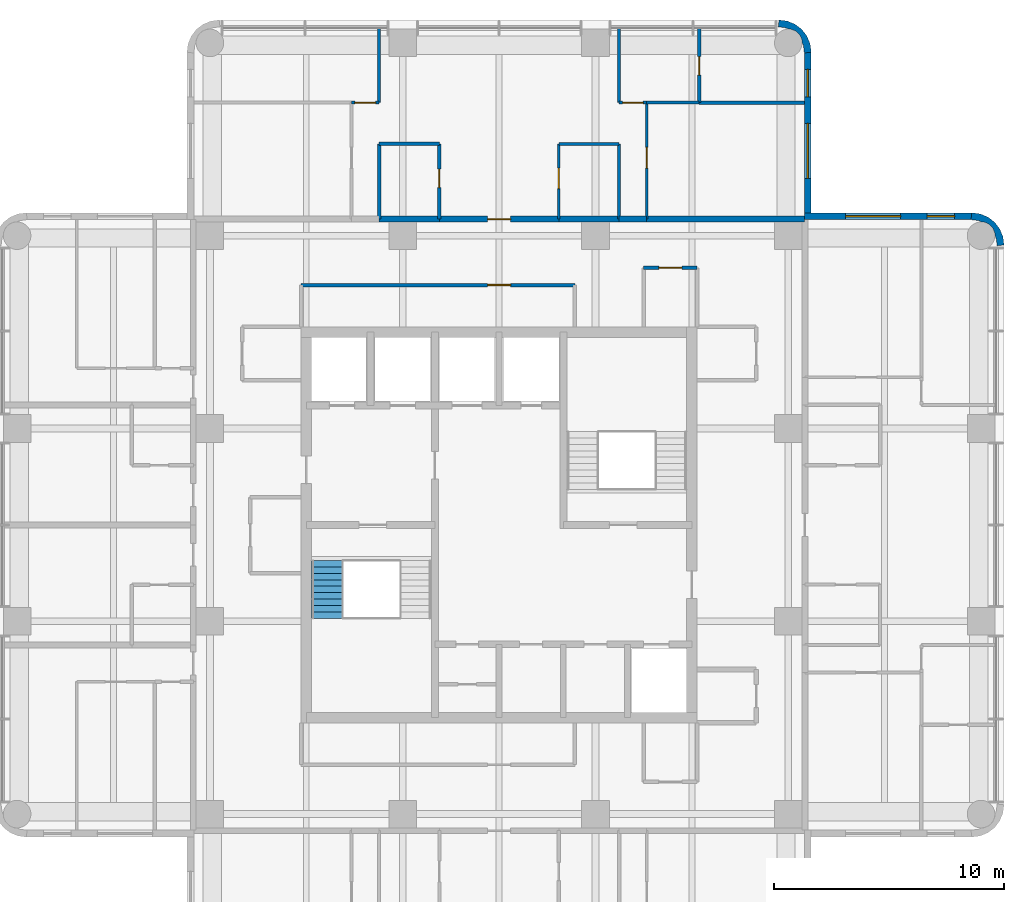
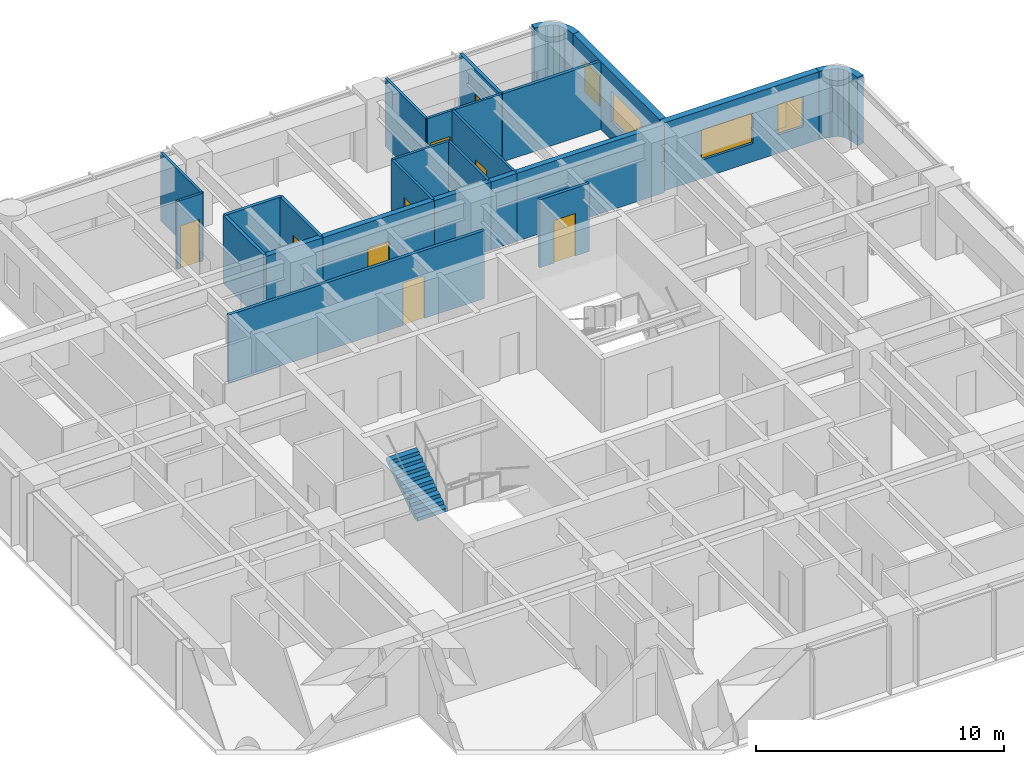
# One storey, part 8 of 10: 25 walls, 9 doors, 4 windows, 1 stair flight, 13 openings, 1 element without a shape of its own.
"""IFC4 building model written with IfcOpenShell, lengths in metres."""

from ifc_helpers import new_model, si_unit, direction, frame, frame_2d, origin, place, context, subcontext, project, spatial, polyline, rectangle, outline, extrude, material, layer, layer_set, type_object, element, fill, aggregate, save


model = new_model("IFC4")

# Units and contexts
model_context = context("Model", 3, precision=1e-05, world=origin(), true_north=direction((0.0, 1.0)))
body_context = subcontext(model_context, "Body", "Model", "MODEL_VIEW")
ifc_project = project(units=[si_unit("LENGTHUNIT", "METRE"), si_unit("AREAUNIT", "SQUARE_METRE"), si_unit("VOLUMEUNIT", "CUBIC_METRE"), si_unit("PLANEANGLEUNIT", "RADIAN"), si_unit("MASSUNIT", "GRAM", prefix="KILO")], contexts=[model_context])

# Site, building, storey
site_placement = place(None, origin())
site = spatial("IfcSite", under=ifc_project, at=site_placement, CompositionType="ELEMENT")
building_placement = place(site_placement, origin())
building = spatial("IfcBuilding", under=site, at=building_placement, Name="Torre Alcanfor", CompositionType="ELEMENT")
storey_placement = place(building_placement, frame((0.0, 0.0, 297.300048828125)))
storey = spatial("IfcBuildingStorey", under=building, at=storey_placement, Name="L78", CompositionType="ELEMENT", Elevation=297.300048828125)

# Wall, opening, door
ifc_material_1 = material(Name="Concrete block masonry, hollow blocks NMX-C-404 9 MPa", Category="masonry")
ifc_layer_1 = layer(ifc_material_1, 0.25)
ifc_layer_set_1 = layer_set([ifc_layer_1], Name="Apartment entrance wall 250 EI 60")
wall_type_1 = type_object("IfcWallType", Name="Apartment entrance wall 250 EI 60", PredefinedType="PARTITIONING", material=ifc_layer_set_1)
wall_1_placement = place(storey_placement, frame((26.800048828125, 42.72509765625, 0.0), z_axis=(0.0, 0.0, 1.0), x_axis=(1.0, 0.0, 0.0)))
wall_1 = element("IfcWall", 1, at=wall_1_placement, inside=storey, type_object=wall_type_1, Name="Partition L78-CORR / L78-NX-ZAG", PredefinedType="PARTITIONING", context=body_context, shape_type="SweptSolid", body=[
    extrude(rectangle(XDim=5.199951171875, YDim=0.25, at=frame_2d((2.60009765625, 0.0))), origin(), (0.0, 0.0, 1.0), 3.349853515625),
])
opening_1_placement = place(wall_1_placement, frame((2.10009765625, 0.0, 0.0)))
opening_1 = element("IfcOpeningElement", 2, at=opening_1_placement, cuts=wall_1, Name="Opening D-A1", PredefinedType="OPENING", context=body_context, shape_type="SweptSolid", body=[
    extrude(rectangle(XDim=1.0, YDim=2.10009765625, at=frame_2d((0.5, 1.050048828125))), frame((0.0, 0.135009765625, 0.0), z_axis=(0.0, -1.0, 0.0), x_axis=(1.0, 0.0, 0.0)), (0.0, 0.0, 1.0), 0.27001953125),
])
ifc_material_2 = material(Name="Galvanised steel sheet ASTM A653", Category="steel")
door_type_1 = type_object("IfcDoorType", Name="Apartment entrance door FD60 1000x2100", OperationType="SINGLE_SWING_LEFT", PredefinedType="DOOR", material=ifc_material_2)
door_1_placement = place(opening_1_placement, origin())
door_1 = element("IfcDoor", 3, at=door_1_placement, inside=storey, type_object=door_type_1, Name="Apartment entrance L78-NX", OperationType="SINGLE_SWING_LEFT", OverallHeight=2.10009765625, OverallWidth=1.0, PredefinedType="DOOR", context=body_context, shape_type="SweptSolid", body=[
    extrude(rectangle(XDim=1.0, YDim=2.10009765625, at=frame_2d((0.5, 1.050048828125))), frame((0.0, 0.02490234375, 0.0), z_axis=(0.0, -1.0, 0.0), x_axis=(1.0, 0.0, 0.0)), (0.0, 0.0, 1.0), 0.050048828125),
])
fill(opening_1, door_1)

# Walls
wall_2_placement = place(storey_placement, frame((24.1708984375, 42.72509765625, 0.0), z_axis=(0.0, 0.0, 1.0), x_axis=(1.0, 0.0, 0.0)))
element("IfcWall", 4, at=wall_2_placement, inside=storey, type_object=wall_type_1, Name="Partition L78-CORR / L78-NX-BATH2", PredefinedType="PARTITIONING", context=body_context, shape_type="SweptSolid", body=[
    extrude(rectangle(XDim=2.629150390625, YDim=0.25, at=frame_2d((1.314453125, 0.0))), origin(), (0.0, 0.0, 1.0), 3.349853515625),
])
wall_3_placement = place(storey_placement, frame((32.0, 42.72509765625, 0.0), z_axis=(0.0, 0.0, 1.0), x_axis=(1.0, 0.0, 0.0)))
element("IfcWall", 5, at=wall_3_placement, inside=storey, type_object=wall_type_1, Name="Partition L78-CORR / L78-NX-KITCHEN", PredefinedType="PARTITIONING", context=body_context, shape_type="SweptSolid", body=[
    extrude(rectangle(XDim=2.62890625, YDim=0.25, at=frame_2d((1.314453125, 0.0))), origin(), (0.0, 0.0, 1.0), 3.349853515625),
])
wall_4_placement = place(storey_placement, frame((34.62890625, 42.72509765625, 0.0), z_axis=(0.0, 0.0, 1.0), x_axis=(1.0, 0.0, 0.0)))
element("IfcWall", 6, at=wall_4_placement, inside=storey, type_object=wall_type_1, Name="Partition L78-CORR / L78-NX-LIVING", PredefinedType="PARTITIONING", context=body_context, shape_type="SweptSolid", body=[
    extrude(rectangle(XDim=1.2001953125, YDim=0.25, at=frame_2d((0.60009765625, 0.0))), origin(), (0.0, 0.0, 1.0), 3.349853515625),
])
wall_5_placement = place(storey_placement, frame((35.8291015625, 42.72509765625, 0.0), z_axis=(0.0, 0.0, 1.0), x_axis=(1.0, 0.0, 0.0)))
element("IfcWall", 7, at=wall_5_placement, inside=storey, type_object=wall_type_1, Name="Partition L78-CORR / L78-NX-BED3", PredefinedType="PARTITIONING", context=body_context, shape_type="SweptSolid", body=[
    extrude(rectangle(XDim=6.870849609375, YDim=0.25, at=frame_2d((3.435546875, 0.0))), origin(), (0.0, 0.0, 1.0), 3.349853515625),
])

# Wall, opening, door
ifc_material_3 = material(Name="Gypsum board on steel studs", Category="steel")
ifc_layer_2 = layer(ifc_material_3, 0.1201171875)
ifc_layer_set_2 = layer_set([ifc_layer_2], Name="Apartment partition 120")
wall_type_2 = type_object("IfcWallType", Name="Apartment partition 120", PredefinedType="PARTITIONING", material=ifc_layer_set_2)
wall_6_placement = place(storey_placement, frame((32.0, 42.72509765625, 0.0), z_axis=(0.0, 0.0, 1.0), x_axis=(0.0, 1.0, 0.0)))
wall_6 = element("IfcWall", 8, at=wall_6_placement, inside=storey, type_object=wall_type_2, Name="Partition L78-NX-ZAG / L78-NX-KITCHEN", PredefinedType="PARTITIONING", context=body_context, shape_type="SweptSolid", body=[
    extrude(rectangle(XDim=3.27490234375, YDim=0.1201171875, at=frame_2d((1.637451171875, 0.0))), origin(), (0.0, 0.0, 1.0), 3.349853515625),
])
opening_2_placement = place(wall_6_placement, frame((1.324951171875, 0.0, 0.0)))
opening_2 = element("IfcOpeningElement", 9, at=opening_2_placement, cuts=wall_6, Name="Opening D-R1", PredefinedType="OPENING", context=body_context, shape_type="SweptSolid", body=[
    extrude(rectangle(XDim=0.89990234375, YDim=2.10009765625, at=frame_2d((0.449951171875, 1.050048828125))), frame((0.0, 0.070068359375, 0.0), z_axis=(0.0, -1.0, 0.0), x_axis=(1.0, 0.0, 0.0)), (0.0, 0.0, 1.0), 0.14013671875),
])
ifc_material_4 = material(Name="Timber", Category="wood")
door_type_2 = type_object("IfcDoorType", Name="Internal door 900x2100", OperationType="SINGLE_SWING_LEFT", PredefinedType="DOOR", material=ifc_material_4)
door_2_placement = place(opening_2_placement, frame((0.89990234375, 0.0, 0.0), z_axis=(0.0, 0.0, 1.0), x_axis=(-1.0, 0.0, 0.0)))
door_2 = element("IfcDoor", 10, at=door_2_placement, inside=storey, type_object=door_type_2, Name="Door L78-NX kitchen", OperationType="SINGLE_SWING_LEFT", OverallHeight=2.10009765625, OverallWidth=0.89990234375, PredefinedType="DOOR", context=body_context, shape_type="SweptSolid", body=[
    extrude(rectangle(XDim=0.89990234375, YDim=2.10009765625, at=frame_2d((0.449951171875, 1.050048828125))), frame((0.0, 0.025146484375, 0.0), z_axis=(0.0, -1.0, 0.0), x_axis=(1.0, 0.0, 0.0)), (0.0, 0.0, 1.0), 0.050048828125),
])
fill(opening_2, door_2)

# Walls
wall_7_placement = place(storey_placement, frame((34.62890625, 42.72509765625, 0.0), z_axis=(0.0, 0.0, 1.0), x_axis=(0.0, 1.0, 0.0)))
element("IfcWall", 11, at=wall_7_placement, inside=storey, type_object=wall_type_2, Name="Partition L78-NX-KITCHEN / L78-NX-LIVING", PredefinedType="PARTITIONING", context=body_context, shape_type="SweptSolid", body=[
    extrude(rectangle(XDim=3.27490234375, YDim=0.1201171875, at=frame_2d((1.637451171875, 0.0))), origin(), (0.0, 0.0, 1.0), 3.349853515625),
])
wall_8_placement = place(storey_placement, frame((34.62890625, 46.0, 0.0), z_axis=(0.0, 0.0, 1.0), x_axis=(-1.0, 0.0, 0.0)))
element("IfcWall", 12, at=wall_8_placement, inside=storey, type_object=wall_type_2, Name="Partition L78-NX-KITCHEN / L78-NX-LIVING", PredefinedType="PARTITIONING", context=body_context, shape_type="SweptSolid", body=[
    extrude(rectangle(XDim=2.62890625, YDim=0.1201171875, at=frame_2d((1.314453125, 0.0))), origin(), (0.0, 0.0, 1.0), 3.349853515625),
])

# Wall, opening, door
wall_9_placement = place(storey_placement, frame((22.970947265625, 47.800048828125, 0.0), z_axis=(0.0, 0.0, 1.0), x_axis=(1.0, 0.0, 0.0)))
wall_9 = element("IfcWall", 13, at=wall_9_placement, inside=storey, type_object=wall_type_2, Name="Partition L78-NX-LIVING / L78-NX-MASTER", PredefinedType="PARTITIONING", context=body_context, shape_type="SweptSolid", body=[
    extrude(rectangle(XDim=1.199951171875, YDim=0.1201171875, at=frame_2d((0.60009765625, 0.0))), origin(), (0.0, 0.0, 1.0), 3.349853515625),
])
opening_3_placement = place(wall_9_placement, frame((0.14892578125, 0.0, 0.0)))
opening_3 = element("IfcOpeningElement", 14, at=opening_3_placement, cuts=wall_9, Name="Opening D-R1", PredefinedType="OPENING", context=body_context, shape_type="SweptSolid", body=[
    extrude(rectangle(XDim=0.89990234375, YDim=2.10009765625, at=frame_2d((0.449951171875, 1.050048828125))), frame((0.0, 0.070068359375, 0.0), z_axis=(0.0, -1.0, 0.0), x_axis=(1.0, 0.0, 0.0)), (0.0, 0.0, 1.0), 0.14013671875),
])
door_3_placement = place(opening_3_placement, origin())
door_3 = element("IfcDoor", 15, at=door_3_placement, inside=storey, type_object=door_type_2, Name="Door L78-NX master", OperationType="SINGLE_SWING_RIGHT", OverallHeight=2.10009765625, OverallWidth=0.89990234375, PredefinedType="DOOR", context=body_context, shape_type="SweptSolid", body=[
    extrude(rectangle(XDim=0.89990234375, YDim=2.10009765625, at=frame_2d((0.449951171875, 1.050048828125))), frame((0.0, 0.02490234375, 0.0), z_axis=(0.0, -1.0, 0.0), x_axis=(1.0, 0.0, 0.0)), (0.0, 0.0, 1.0), 0.050048828125),
])
fill(opening_3, door_3)

# Wall
wall_10_placement = place(storey_placement, frame((24.1708984375, 47.800048828125, 0.0), z_axis=(0.0, 0.0, 1.0), x_axis=(0.0, 1.0, 0.0)))
element("IfcWall", 16, at=wall_10_placement, inside=storey, type_object=wall_type_2, Name="Partition L78-NX-LIVING / L78-NX-MASTER", PredefinedType="PARTITIONING", context=body_context, shape_type="SweptSolid", body=[
    extrude(rectangle(XDim=3.25, YDim=0.1201171875, at=frame_2d((1.625, 0.0))), origin(), (0.0, 0.0, 1.0), 3.349853515625),
])

# Wall, opening, door
wall_11_placement = place(storey_placement, frame((35.8291015625, 47.800048828125, 0.0), z_axis=(0.0, 0.0, 1.0), x_axis=(0.0, -1.0, 0.0)))
wall_11 = element("IfcWall", 17, at=wall_11_placement, inside=storey, type_object=wall_type_2, Name="Partition L78-NX-LIVING / L78-NX-BED3", PredefinedType="PARTITIONING", context=body_context, shape_type="SweptSolid", body=[
    extrude(rectangle(XDim=5.074951171875, YDim=0.1201171875, at=frame_2d((2.53759765625, 0.0))), origin(), (0.0, 0.0, 1.0), 3.349853515625),
])
opening_4_placement = place(wall_11_placement, frame((1.949951171875, 0.0, 0.0)))
opening_4 = element("IfcOpeningElement", 18, at=opening_4_placement, cuts=wall_11, Name="Opening D-R1", PredefinedType="OPENING", context=body_context, shape_type="SweptSolid", body=[
    extrude(rectangle(XDim=0.89990234375, YDim=2.10009765625, at=frame_2d((0.449951171875, 1.050048828125))), frame((0.0, 0.070068359375, 0.0), z_axis=(0.0, -1.0, 0.0), x_axis=(1.0, 0.0, 0.0)), (0.0, 0.0, 1.0), 0.14013671875),
])
door_4_placement = place(opening_4_placement, origin())
door_4 = element("IfcDoor", 19, at=door_4_placement, inside=storey, type_object=door_type_2, Name="Door L78-NX bed3", OperationType="SINGLE_SWING_LEFT", OverallHeight=2.10009765625, OverallWidth=0.89990234375, PredefinedType="DOOR", context=body_context, shape_type="SweptSolid", body=[
    extrude(rectangle(XDim=0.89990234375, YDim=2.10009765625, at=frame_2d((0.449951171875, 1.050048828125))), frame((0.0, 0.02490234375, 0.0), z_axis=(0.0, -1.0, 0.0), x_axis=(1.0, 0.0, 0.0)), (0.0, 0.0, 1.0), 0.050048828125),
])
fill(opening_4, door_4)

# Wall
wall_12_placement = place(storey_placement, frame((34.62890625, 51.050048828125, 0.0), z_axis=(0.0, 0.0, 1.0), x_axis=(0.0, -1.0, 0.0)))
element("IfcWall", 20, at=wall_12_placement, inside=storey, type_object=wall_type_2, Name="Partition L78-NX-LIVING / L78-NX-BED1", PredefinedType="PARTITIONING", context=body_context, shape_type="SweptSolid", body=[
    extrude(rectangle(XDim=3.25, YDim=0.1201171875, at=frame_2d((1.625, 0.0))), origin(), (0.0, 0.0, 1.0), 3.349853515625),
])

# Wall, opening, door
wall_13_placement = place(storey_placement, frame((34.62890625, 47.800048828125, 0.0), z_axis=(0.0, 0.0, 1.0), x_axis=(1.0, 0.0, 0.0)))
wall_13 = element("IfcWall", 21, at=wall_13_placement, inside=storey, type_object=wall_type_2, Name="Partition L78-NX-LIVING / L78-NX-BED1", PredefinedType="PARTITIONING", context=body_context, shape_type="SweptSolid", body=[
    extrude(rectangle(XDim=1.2001953125, YDim=0.1201171875, at=frame_2d((0.60009765625, 0.0))), origin(), (0.0, 0.0, 1.0), 3.349853515625),
])
opening_5_placement = place(wall_13_placement, frame((0.15087890625, 0.0, 0.0)))
opening_5 = element("IfcOpeningElement", 22, at=opening_5_placement, cuts=wall_13, Name="Opening D-R1", PredefinedType="OPENING", context=body_context, shape_type="SweptSolid", body=[
    extrude(rectangle(XDim=0.89990234375, YDim=2.10009765625, at=frame_2d((0.449951171875, 1.050048828125))), frame((0.0, 0.070068359375, 0.0), z_axis=(0.0, -1.0, 0.0), x_axis=(1.0, 0.0, 0.0)), (0.0, 0.0, 1.0), 0.14013671875),
])
door_5_placement = place(opening_5_placement, origin())
door_5 = element("IfcDoor", 23, at=door_5_placement, inside=storey, type_object=door_type_2, Name="Door L78-NX bed1", OperationType="SINGLE_SWING_LEFT", OverallHeight=2.10009765625, OverallWidth=0.89990234375, PredefinedType="DOOR", context=body_context, shape_type="SweptSolid", body=[
    extrude(rectangle(XDim=0.89990234375, YDim=2.10009765625, at=frame_2d((0.449951171875, 1.050048828125))), frame((0.0, 0.02490234375, 0.0), z_axis=(0.0, -1.0, 0.0), x_axis=(1.0, 0.0, 0.0)), (0.0, 0.0, 1.0), 0.050048828125),
])
fill(opening_5, door_5)

# Wall
wall_14_placement = place(storey_placement, frame((38.114013671875, 47.800048828125, 0.0), z_axis=(0.0, 0.0, 1.0), x_axis=(-1.0, 0.0, 0.0)))
element("IfcWall", 24, at=wall_14_placement, inside=storey, type_object=wall_type_2, Name="Partition L78-NX-BED3 / L78-NX-BED1", PredefinedType="PARTITIONING", context=body_context, shape_type="SweptSolid", body=[
    extrude(rectangle(XDim=2.284912109375, YDim=0.1201171875, at=frame_2d((1.142578125, 0.0))), origin(), (0.0, 0.0, 1.0), 3.349853515625),
])

# Wall, openings, windows
ifc_material_5 = material(Name="Limestone cladding", Category="masonry")
ifc_layer_3 = layer(ifc_material_5, 0.0400390625, Name="Facing")
ifc_material_6 = material(Name="Ventilated air cavity")
ifc_layer_4 = layer(ifc_material_6, 0.02001953125, ventilated=True, Name="Ventilated joint")
ifc_material_7 = material(Name="Mineral wool insulation", Category="insulation")
ifc_layer_5 = layer(ifc_material_7, 0.10009765625, Name="Insulation")
ifc_material_8 = material(Name="Concrete f'c 35 MPa", Category="concrete")
ifc_layer_6 = layer(ifc_material_8, 0.139892578125, Name="Backing")
ifc_layer_set_3 = layer_set([ifc_layer_3, ifc_layer_4, ifc_layer_5, ifc_layer_6], Name="External wall stone-clad 300")
wall_type_3 = type_object("IfcWallType", Name="External wall stone-clad 300", PredefinedType="SOLIDWALL", material=ifc_layer_set_3)
wall_15_placement = place(storey_placement, frame((50.0, 42.85009765625, 0.0), z_axis=(0.0, 0.0, 1.0), x_axis=(-1.0, 0.0, 0.0)))
wall_15 = element("IfcWall", 25, at=wall_15_placement, inside=storey, type_object=wall_type_3, Name="External wall L78 9", PredefinedType="SOLIDWALL", context=body_context, shape_type="SweptSolid", body=[
    extrude(rectangle(XDim=7.300048828125, YDim=0.300048828125, at=frame_2d((3.64990234375, 0.0))), origin(), (0.0, 0.0, 1.0), 3.349853515625),
])
opening_6_placement = place(wall_15_placement, frame((3.10009765625, 0.0, 0.89990234375)))
opening_6 = element("IfcOpeningElement", 26, at=opening_6_placement, cuts=wall_15, Name="Opening W1", PredefinedType="OPENING", context=body_context, shape_type="SweptSolid", body=[
    extrude(rectangle(XDim=2.39990234375, YDim=1.5, at=frame_2d((1.199951171875, 0.75))), frame((0.0, 0.159912109375, 0.0), z_axis=(0.0, -1.0, 0.0), x_axis=(1.0, 0.0, 0.0)), (0.0, 0.0, 1.0), 0.320068359375),
])
opening_7_placement = place(wall_15_placement, frame((0.75, 0.0, 0.89990234375)))
opening_7 = element("IfcOpeningElement", 27, at=opening_7_placement, cuts=wall_15, Name="Opening W4", PredefinedType="OPENING", context=body_context, shape_type="SweptSolid", body=[
    extrude(rectangle(XDim=1.199951171875, YDim=1.5, at=frame_2d((0.60009765625, 0.75))), frame((0.0, 0.159912109375, 0.0), z_axis=(0.0, -1.0, 0.0), x_axis=(1.0, 0.0, 0.0)), (0.0, 0.0, 1.0), 0.320068359375),
])
ifc_material_9 = material(Name="Aluminium frame with clear double glazing", Category="aluminium")
window_type_1 = type_object("IfcWindowType", Name="Window bedroom 1200x1500", PartitioningType="SINGLE_PANEL", PredefinedType="WINDOW", material=ifc_material_9)
window_1_placement = place(opening_7_placement, origin())
window_1 = element("IfcWindow", 28, at=window_1_placement, inside=storey, type_object=window_type_1, Name="Window W4 L78-E1", OverallHeight=1.5, OverallWidth=1.199951171875, PartitioningType="SINGLE_PANEL", PredefinedType="WINDOW", context=body_context, shape_type="SweptSolid", body=[
    extrude(rectangle(XDim=1.199951171875, YDim=1.5, at=frame_2d((0.60009765625, 0.75))), frame((0.0, 0.030029296875, 0.0), z_axis=(0.0, -1.0, 0.0), x_axis=(1.0, 0.0, 0.0)), (0.0, 0.0, 1.0), 0.06005859375),
])
fill(opening_7, window_1)
ifc_material_10 = material(Name="Aluminium frame with clear double glazing", Category="aluminium")
window_type_2 = type_object("IfcWindowType", Name="Window bedroom 2400x1500", PartitioningType="SINGLE_PANEL", PredefinedType="WINDOW", material=ifc_material_10)
window_2_placement = place(opening_6_placement, origin())
window_2 = element("IfcWindow", 29, at=window_2_placement, inside=storey, type_object=window_type_2, Name="Window W1 L78-E1", OverallHeight=1.5, OverallWidth=2.39990234375, PartitioningType="SINGLE_PANEL", PredefinedType="WINDOW", context=body_context, shape_type="SweptSolid", body=[
    extrude(rectangle(XDim=2.39990234375, YDim=1.5, at=frame_2d((1.199951171875, 0.75))), frame((0.0, 0.030029296875, 0.0), z_axis=(0.0, -1.0, 0.0), x_axis=(1.0, 0.0, 0.0)), (0.0, 0.0, 1.0), 0.06005859375),
])
fill(opening_6, window_2)

wall_16_placement = place(storey_placement, frame((42.85009765625, 43.0, 0.0), z_axis=(0.0, 0.0, 1.0), x_axis=(0.0, 1.0, 0.0)))
wall_16 = element("IfcWall", 30, at=wall_16_placement, inside=storey, type_object=wall_type_3, Name="External wall L78 10", PredefinedType="SOLIDWALL", context=body_context, shape_type="SweptSolid", body=[
    extrude(rectangle(XDim=7.0, YDim=0.300048828125, at=frame_2d((3.5, 0.0))), origin(), (0.0, 0.0, 1.0), 3.349853515625),
])
opening_8_placement = place(wall_16_placement, frame((1.5, 0.0, 0.89990234375)))
opening_8 = element("IfcOpeningElement", 31, at=opening_8_placement, cuts=wall_16, Name="Opening W1", PredefinedType="OPENING", context=body_context, shape_type="SweptSolid", body=[
    extrude(rectangle(XDim=2.39990234375, YDim=1.5, at=frame_2d((1.199951171875, 0.75))), frame((0.0, 0.159912109375, 0.0), z_axis=(0.0, -1.0, 0.0), x_axis=(1.0, 0.0, 0.0)), (0.0, 0.0, 1.0), 0.320068359375),
])
opening_9_placement = place(wall_16_placement, frame((5.050048828125, 0.0, 0.89990234375)))
opening_9 = element("IfcOpeningElement", 32, at=opening_9_placement, cuts=wall_16, Name="Opening W4", PredefinedType="OPENING", context=body_context, shape_type="SweptSolid", body=[
    extrude(rectangle(XDim=1.199951171875, YDim=1.5, at=frame_2d((0.60009765625, 0.75))), frame((0.0, 0.159912109375, 0.0), z_axis=(0.0, -1.0, 0.0), x_axis=(1.0, 0.0, 0.0)), (0.0, 0.0, 1.0), 0.320068359375),
])
window_3_placement = place(opening_9_placement, origin())
window_3 = element("IfcWindow", 33, at=window_3_placement, inside=storey, type_object=window_type_1, Name="Window W4 L78-N2", OverallHeight=1.5, OverallWidth=1.199951171875, PartitioningType="SINGLE_PANEL", PredefinedType="WINDOW", context=body_context, shape_type="SweptSolid", body=[
    extrude(rectangle(XDim=1.199951171875, YDim=1.5, at=frame_2d((0.60009765625, 0.75))), frame((0.0, 0.030029296875, 0.0), z_axis=(0.0, -1.0, 0.0), x_axis=(1.0, 0.0, 0.0)), (0.0, 0.0, 1.0), 0.06005859375),
])
fill(opening_9, window_3)
window_4_placement = place(opening_8_placement, origin())
window_4 = element("IfcWindow", 34, at=window_4_placement, inside=storey, type_object=window_type_2, Name="Window W1 L78-N2", OverallHeight=1.5, OverallWidth=2.39990234375, PartitioningType="SINGLE_PANEL", PredefinedType="WINDOW", context=body_context, shape_type="SweptSolid", body=[
    extrude(rectangle(XDim=2.39990234375, YDim=1.5, at=frame_2d((1.199951171875, 0.75))), frame((0.0, 0.030029296875, 0.0), z_axis=(0.0, -1.0, 0.0), x_axis=(1.0, 0.0, 0.0)), (0.0, 0.0, 1.0), 0.06005859375),
])
fill(opening_8, window_4)

# Wall, opening, door
ifc_material_11 = material(Name="Concrete block masonry, hollow blocks NMX-C-404 9 MPa", Category="masonry")
ifc_layer_7 = layer(ifc_material_11, 0.14990234375)
ifc_layer_set_4 = layer_set([ifc_layer_7], Name="Residents' room partition 150")
wall_type_4 = type_object("IfcWallType", Name="Residents' room partition 150", PredefinedType="PARTITIONING", material=ifc_layer_set_4)
wall_17_placement = place(storey_placement, frame((32.699951171875, 39.85009765625, 0.0), z_axis=(0.0, 0.0, 1.0), x_axis=(-1.0, 0.0, 0.0)))
wall_17 = element("IfcWall", 35, at=wall_17_placement, inside=storey, type_object=wall_type_4, Name="Partition L78-CORR / L78-G01", PredefinedType="PARTITIONING", context=body_context, shape_type="SweptSolid", body=[
    extrude(rectangle(XDim=11.925048828125, YDim=0.14990234375, at=frame_2d((5.96240234375, 0.0))), origin(), (0.0, 0.0, 1.0), 3.349853515625),
])
opening_10_placement = place(wall_17_placement, frame((2.800048828125, 0.0, 0.0)))
opening_10 = element("IfcOpeningElement", 36, at=opening_10_placement, cuts=wall_17, Name="Opening D-M1", PredefinedType="OPENING", context=body_context, shape_type="SweptSolid", body=[
    extrude(rectangle(XDim=1.0, YDim=2.10009765625, at=frame_2d((0.5, 1.050048828125))), frame((0.0, 0.0849609375, 0.0), z_axis=(0.0, -1.0, 0.0), x_axis=(1.0, 0.0, 0.0)), (0.0, 0.0, 1.0), 0.169921875),
])
ifc_material_12 = material(Name="Timber", Category="wood")
door_type_3 = type_object("IfcDoorType", Name="Residents' room door 1000x2100", OperationType="SINGLE_SWING_LEFT", PredefinedType="DOOR", material=ifc_material_12)
door_6_placement = place(opening_10_placement, origin())
door_6 = element("IfcDoor", 37, at=door_6_placement, inside=storey, type_object=door_type_3, Name="Door L78-G01 pram and wheelchair store", OperationType="SINGLE_SWING_LEFT", OverallHeight=2.10009765625, OverallWidth=1.0, PredefinedType="DOOR", context=body_context, shape_type="SweptSolid", body=[
    extrude(rectangle(XDim=1.0, YDim=2.10009765625, at=frame_2d((0.5, 1.050048828125))), frame((0.0, 0.02490234375, 0.0), z_axis=(0.0, -1.0, 0.0), x_axis=(1.0, 0.0, 0.0)), (0.0, 0.0, 1.0), 0.050048828125),
])
fill(opening_10, door_6)

wall_18_placement = place(storey_placement, frame((38.02490234375, 40.60009765625, 0.0), z_axis=(0.0, 0.0, 1.0), x_axis=(-1.0, 0.0, 0.0)))
wall_18 = element("IfcWall", 38, at=wall_18_placement, inside=storey, type_object=wall_type_4, Name="Partition L78-CORR / L78-G02", PredefinedType="PARTITIONING", context=body_context, shape_type="SweptSolid", body=[
    extrude(rectangle(XDim=2.324951171875, YDim=0.14990234375, at=frame_2d((1.16259765625, 0.0))), origin(), (0.0, 0.0, 1.0), 3.349853515625),
])
opening_11_placement = place(wall_18_placement, frame((0.66259765625, 0.0, 0.0)))
opening_11 = element("IfcOpeningElement", 39, at=opening_11_placement, cuts=wall_18, Name="Opening D-M1", PredefinedType="OPENING", context=body_context, shape_type="SweptSolid", body=[
    extrude(rectangle(XDim=1.0, YDim=2.10009765625, at=frame_2d((0.5, 1.050048828125))), frame((0.0, 0.0849609375, 0.0), z_axis=(0.0, -1.0, 0.0), x_axis=(1.0, 0.0, 0.0)), (0.0, 0.0, 1.0), 0.169921875),
])
door_7_placement = place(opening_11_placement, origin())
door_7 = element("IfcDoor", 40, at=door_7_placement, inside=storey, type_object=door_type_3, Name="Door L78-G02 residents' storage", OperationType="SINGLE_SWING_LEFT", OverallHeight=2.10009765625, OverallWidth=1.0, PredefinedType="DOOR", context=body_context, shape_type="SweptSolid", body=[
    extrude(rectangle(XDim=1.0, YDim=2.10009765625, at=frame_2d((0.5, 1.050048828125))), frame((0.0, 0.02490234375, 0.0), z_axis=(0.0, -1.0, 0.0), x_axis=(1.0, 0.0, 0.0)), (0.0, 0.0, 1.0), 0.050048828125),
])
fill(opening_11, door_7)

# Walls
ifc_layer_8 = layer(ifc_material_5, 0.0400390625, Name="Facing")
ifc_layer_9 = layer(ifc_material_6, 0.02001953125, ventilated=True, Name="Ventilated joint")
ifc_layer_10 = layer(ifc_material_7, 0.10009765625, Name="Insulation")
ifc_layer_11 = layer(ifc_material_8, 0.139892578125, Name="Backing")
ifc_layer_set_5 = layer_set([ifc_layer_8, ifc_layer_9, ifc_layer_10, ifc_layer_11], Name="Rounded corner pier stone-clad 300")
wall_type_5 = type_object("IfcWallType", Name="Rounded corner pier stone-clad 300", PredefinedType="SOLIDWALL", material=ifc_layer_set_5)
wall_19_placement = place(storey_placement, frame((50.975898117, 41.638418254, 0.0), z_axis=(0.0, 0.0, 1.0), x_axis=(0.707106781187, 0.707106781187, 0.0)))
element("IfcWall", 41, at=wall_19_placement, inside=storey, type_object=wall_type_5, Name="Corner pier L78 18", PredefinedType="SOLIDWALL", context=body_context, shape_type="SweptSolid", body=[
    extrude(outline(polyline([(0.23318643990489343, 0.11416555226925765), (0.04674226908422171, -0.12890240376361806), (0.032758956272671336, -0.14288571657516844), (0.27271950945853585, -0.32691301851483145), (0.4952440800028376, -0.03706138628528721), (0.6350772081183413, 0.3006097230899294), (0.682724051772513, 0.6627947882582343), (0.6350772081183413, 1.0253251204095404), (0.4952440800028376, 1.3629962297847569), (0.27271950945853585, 1.6528478620143012), (0.032586322781170685, 1.4686479265831376), (0.04656963559272109, 1.454664613771587), (0.2330138064133928, 1.2115966577387114), (0.2922270939981062, 1.0691740272506984), (0.35800045425984317, 1.0034006669889615), (0.44949620475517277, 0.7824297978681654), (0.4493235712636722, 0.5433324121398039), (0.3578278207683425, 0.32236154301900777), (0.29222709399810615, 0.2567608162487714), (0.23318643990489343, 0.11416555226925765)])), origin(), (0.0, 0.0, 1.0), 3.349853515625),
])
wall_20_placement = place(storey_placement, frame((42.575898117, 50.038418254, 0.0), z_axis=(0.0, 0.0, 1.0), x_axis=(0.707106781187, 0.707106781187, 0.0)))
element("IfcWall", 42, at=wall_20_placement, inside=storey, type_object=wall_type_5, Name="Corner pier L78 19", PredefinedType="SOLIDWALL", context=body_context, shape_type="SweptSolid", body=[
    extrude(outline(polyline([(0.2330138064133928, 0.11420007896755979), (0.0465696355927211, -0.12886787706531594), (0.03258632278117072, -0.14285118987686632), (0.27271950945853585, -0.32705112530802993), (0.4952440800028376, -0.03719949307848569), (0.6350772081183413, 0.3004716162967309), (0.682724051772513, 0.663001948448037), (0.6350772081183413, 1.025187013616342), (0.4952440800028376, 1.3628581229915584), (0.27271950945853596, 1.6527097552211027), (0.032758956272671336, 1.4686824532814398), (0.046742269084221744, 1.4546991404698892), (0.23318643990489346, 1.2116311844370136), (0.2922270939981061, 1.0690359204575), (0.35782782076834246, 1.0034351936872634), (0.4493235712636722, 0.7824643245664674), (0.44949620475517277, 0.543366938838106), (0.3580004542598431, 0.3223960697173099), (0.29222709399810615, 0.2566227094555729), (0.2330138064133928, 0.11420007896755979)])), origin(), (0.0, 0.0, 1.0), 3.349853515625),
])

# Wall, opening, door
ifc_material_13 = material(Name="Cement board on steel studs", Category="steel")
ifc_layer_12 = layer(ifc_material_13, 0.14990234375)
ifc_layer_set_6 = layer_set([ifc_layer_12], Name="Wet area partition 150")
wall_type_6 = type_object("IfcWallType", Name="Wet area partition 150", PredefinedType="PARTITIONING", material=ifc_layer_set_6)
wall_21_placement = place(storey_placement, frame((26.800048828125, 46.0, 0.0), z_axis=(0.0, 0.0, 1.0), x_axis=(0.0, -1.0, 0.0)))
wall_21 = element("IfcWall", 43, at=wall_21_placement, inside=storey, type_object=wall_type_6, Name="Partition L78-NX-ZAG / L78-NX-BATH2", PredefinedType="PARTITIONING", context=body_context, shape_type="SweptSolid", body=[
    extrude(rectangle(XDim=3.27490234375, YDim=0.14990234375, at=frame_2d((1.637451171875, 0.0))), origin(), (0.0, 0.0, 1.0), 3.349853515625),
])
opening_12_placement = place(wall_21_placement, frame((1.10009765625, 0.0, 0.0)))
opening_12 = element("IfcOpeningElement", 44, at=opening_12_placement, cuts=wall_21, Name="Opening D-R2", PredefinedType="OPENING", context=body_context, shape_type="SweptSolid", body=[
    extrude(rectangle(XDim=0.800048828125, YDim=2.10009765625, at=frame_2d((0.39990234375, 1.050048828125))), frame((0.0, 0.0849609375, 0.0), z_axis=(0.0, -1.0, 0.0), x_axis=(1.0, 0.0, 0.0)), (0.0, 0.0, 1.0), 0.169921875),
])
ifc_material_14 = material(Name="Timber", Category="wood")
door_type_4 = type_object("IfcDoorType", Name="Bathroom door 800x2100", OperationType="SINGLE_SWING_LEFT", PredefinedType="DOOR", material=ifc_material_14)
door_8_placement = place(opening_12_placement, frame((0.800048828125, 0.0, 0.0), z_axis=(0.0, 0.0, 1.0), x_axis=(-1.0, 0.0, 0.0)))
door_8 = element("IfcDoor", 45, at=door_8_placement, inside=storey, type_object=door_type_4, Name="Door L78-NX bath2", OperationType="SINGLE_SWING_RIGHT", OverallHeight=2.10009765625, OverallWidth=0.800048828125, PredefinedType="DOOR", context=body_context, shape_type="SweptSolid", body=[
    extrude(rectangle(XDim=0.800048828125, YDim=2.10009765625, at=frame_2d((0.400146484375, 1.050048828125))), frame((0.0, 0.025146484375, 0.0), z_axis=(0.0, -1.0, 0.0), x_axis=(1.0, 0.0, 0.0)), (0.0, 0.0, 1.0), 0.050048828125),
])
fill(opening_12, door_8)

# Walls
wall_22_placement = place(storey_placement, frame((26.800048828125, 46.0, 0.0), z_axis=(0.0, 0.0, 1.0), x_axis=(-1.0, 0.0, 0.0)))
element("IfcWall", 46, at=wall_22_placement, inside=storey, type_object=wall_type_6, Name="Partition L78-NX-BATH2 / L78-NX-LIVING", PredefinedType="PARTITIONING", context=body_context, shape_type="SweptSolid", body=[
    extrude(rectangle(XDim=2.629150390625, YDim=0.14990234375, at=frame_2d((1.314453125, 0.0))), origin(), (0.0, 0.0, 1.0), 3.349853515625),
])
wall_23_placement = place(storey_placement, frame((24.1708984375, 46.0, 0.0), z_axis=(0.0, 0.0, 1.0), x_axis=(0.0, -1.0, 0.0)))
element("IfcWall", 47, at=wall_23_placement, inside=storey, type_object=wall_type_6, Name="Partition L78-NX-BATH2 / L78-NX-LIVING", PredefinedType="PARTITIONING", context=body_context, shape_type="SweptSolid", body=[
    extrude(rectangle(XDim=3.27490234375, YDim=0.14990234375, at=frame_2d((1.637451171875, 0.0))), origin(), (0.0, 0.0, 1.0), 3.349853515625),
])
wall_24_placement = place(storey_placement, frame((42.699951171875, 47.800048828125, 0.0), z_axis=(0.0, 0.0, 1.0), x_axis=(-1.0, 0.0, 0.0)))
element("IfcWall", 48, at=wall_24_placement, inside=storey, type_object=wall_type_6, Name="Partition L78-NX-BED3 / L78-NX-BATH1", PredefinedType="PARTITIONING", context=body_context, shape_type="SweptSolid", body=[
    extrude(rectangle(XDim=4.5859375, YDim=0.14990234375, at=frame_2d((2.29296875, 0.0))), origin(), (0.0, 0.0, 1.0), 3.349853515625),
])

# Wall, opening, door
wall_25_placement = place(storey_placement, frame((38.114013671875, 51.050048828125, 0.0), z_axis=(0.0, 0.0, 1.0), x_axis=(0.0, -1.0, 0.0)))
wall_25 = element("IfcWall", 49, at=wall_25_placement, inside=storey, type_object=wall_type_6, Name="Partition L78-NX-BATH1 / L78-NX-BED1", PredefinedType="PARTITIONING", context=body_context, shape_type="SweptSolid", body=[
    extrude(rectangle(XDim=3.25, YDim=0.14990234375, at=frame_2d((1.625, 0.0))), origin(), (0.0, 0.0, 1.0), 3.349853515625),
])
opening_13_placement = place(wall_25_placement, frame((1.25, 0.0, 0.0)))
opening_13 = element("IfcOpeningElement", 50, at=opening_13_placement, cuts=wall_25, Name="Opening D-R2", PredefinedType="OPENING", context=body_context, shape_type="SweptSolid", body=[
    extrude(rectangle(XDim=0.800048828125, YDim=2.10009765625, at=frame_2d((0.39990234375, 1.050048828125))), frame((0.0, 0.0849609375, 0.0), z_axis=(0.0, -1.0, 0.0), x_axis=(1.0, 0.0, 0.0)), (0.0, 0.0, 1.0), 0.169921875),
])
door_9_placement = place(opening_13_placement, frame((0.800048828125, 0.0, 0.0), z_axis=(0.0, 0.0, 1.0), x_axis=(-1.0, 0.0, 0.0)))
door_9 = element("IfcDoor", 51, at=door_9_placement, inside=storey, type_object=door_type_4, Name="Door L78-NX bath1", OperationType="SINGLE_SWING_LEFT", OverallHeight=2.10009765625, OverallWidth=0.800048828125, PredefinedType="DOOR", context=body_context, shape_type="SweptSolid", body=[
    extrude(rectangle(XDim=0.800048828125, YDim=2.10009765625, at=frame_2d((0.400146484375, 1.050048828125))), frame((0.0, 0.025146484375, 0.0), z_axis=(0.0, -1.0, 0.0), x_axis=(1.0, 0.0, 0.0)), (0.0, 0.0, 1.0), 0.050048828125),
])
fill(opening_13, door_9)

# Stair, stair flight
ifc_material_15 = material(Name="Concrete f'c 35 MPa", Category="concrete")
stair_type = type_object("IfcStairType", Name="Exit stair S1 1400 wide", PredefinedType="HALF_TURN_STAIR", material=ifc_material_15)
stair_placement = place(storey_placement, origin())
stair = element("IfcStair", 52, at=stair_placement, inside=storey, type_object=stair_type, Name="Stair S1 L78 to L79", PredefinedType="HALF_TURN_STAIR")
ifc_material_16 = material(Name="Concrete f'c 35 MPa", Category="concrete")
stair_flight_type = type_object("IfcStairFlightType", Name="Stair flight 1400", PredefinedType="STRAIGHT", material=ifc_material_16)
stair_flight_placement = place(storey_placement, frame((21.925048828125, 25.330078125, 1.800048828125), z_axis=(0.0, 0.0, 1.0), x_axis=(0.0, 1.0, 0.0)))
stair_flight = element("IfcStairFlight", 53, at=stair_flight_placement, type_object=stair_flight_type, Name="S1 flight 2", NumberOfRisers=10, NumberOfTreads=9, PredefinedType="STRAIGHT", RiserHeight=0.18, TreadLength=0.28, context=body_context, shape_type="SweptSolid", body=[
    extrude(outline(polyline([(0.0, 0.0), (0.0, 0.179931640625), (0.280029296875, 0.179931640625), (0.280029296875, 0.360107421875), (0.56005859375, 0.360107421875), (0.56005859375, 0.5400390625), (0.840087890625, 0.5400390625), (0.840087890625, 0.719970703125), (1.1201171875, 0.719970703125), (1.1201171875, 0.89990234375), (1.39990234375, 0.89990234375), (1.39990234375, 1.080078125), (1.679931640625, 1.080078125), (1.679931640625, 1.260009765625), (1.9599609375, 1.260009765625), (1.9599609375, 1.43994140625), (2.239990234375, 1.43994140625), (2.239990234375, 1.6201171875), (2.52001953125, 1.6201171875), (2.52001953125, 1.800048828125), (2.52001953125, 1.44189453125), (0.277099609375, 0.0), (0.0, 0.0)])), frame((0.0, 0.699951171875, 0.0), z_axis=(0.0, -1.0, 0.0), x_axis=(1.0, 0.0, 0.0)), (0.0, 0.0, 1.0), 1.39990234375),
])
aggregate(stair, [stair_flight])

save(model, "model.ifc")
